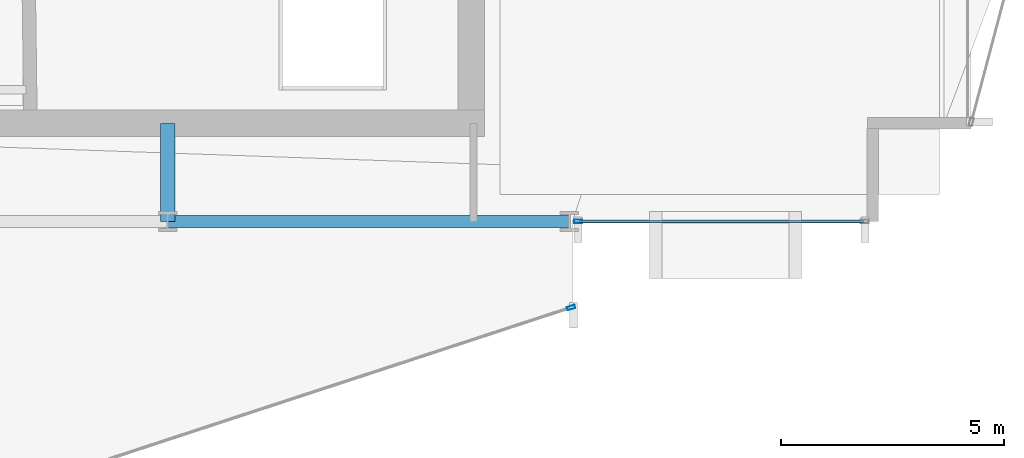
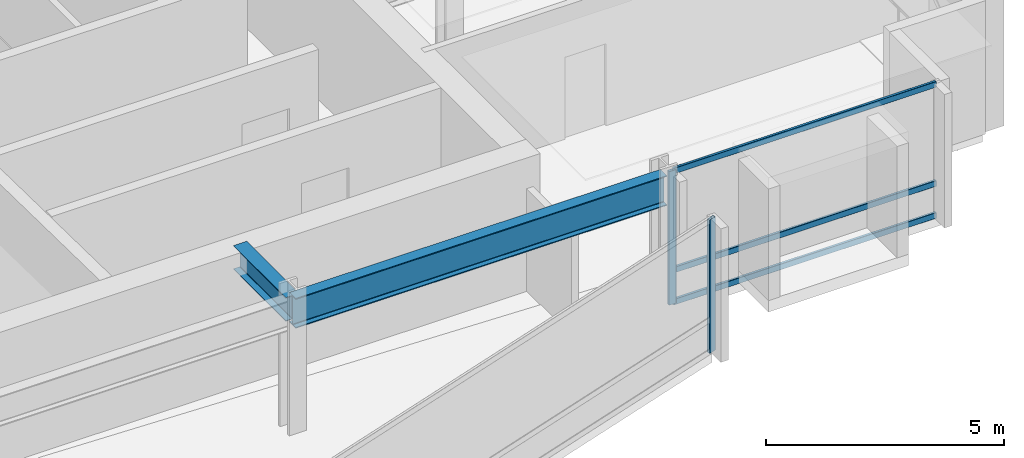
# One storey, part 10 of 28: 5 members, 2 beams, 2 elements without a shape of their own.
"""IFC4 building model written with IfcOpenShell, lengths in metres."""

from ifc_helpers import new_model, si_unit, direction, frame, origin, origin_2d, place, context, subcontext, project, spatial, hollow_rectangle, i_section, extrude, material, layer, layer_set, material_profile, profile_set, type_object, element, aggregate, save


model = new_model("IFC4")

# Units and contexts
model_context = context("Model", 3, precision=1e-05, world=origin(), true_north=direction((0.0, 1.0)))
body_context = subcontext(model_context, "Body", "Model", "MODEL_VIEW")
ifc_project = project(units=[si_unit("LENGTHUNIT", "METRE"), si_unit("AREAUNIT", "SQUARE_METRE"), si_unit("VOLUMEUNIT", "CUBIC_METRE"), si_unit("PLANEANGLEUNIT", "RADIAN"), si_unit("MASSUNIT", "GRAM", prefix="KILO")], contexts=[model_context])

# Site, building, storey
site_placement = place(None, origin())
site = spatial("IfcSite", under=ifc_project, at=site_placement, CompositionType="ELEMENT")
building_placement = place(site_placement, origin())
building = spatial("IfcBuilding", under=site, at=building_placement, Name="Solvaryn Broadcast Tower", CompositionType="ELEMENT")
storey_placement = place(building_placement, frame((0.0, 0.0, 110.0)))
storey = spatial("IfcBuildingStorey", under=building, at=storey_placement, Name="L26", CompositionType="ELEMENT", Elevation=110.0)

# Beams
ifc_material_1 = material(Name="Steel ASTM A992 Grade 50", Category="steel")
ifc_material_profile_1 = material_profile(ifc_material_1, i_section(OverallWidth=0.323974609375, OverallDepth=0.611083984375, WebThickness=0.0126953125, FlangeThickness=0.01904296875, FilletRadius=0.014892578125, at=origin_2d()))
ifc_profile_set_1 = profile_set([ifc_material_profile_1], Name="Steel ASTM A992 Grade 50")
beam_type_1 = type_object("IfcBeamType", Name="BM-B1-W24X104", PredefinedType="BEAM", material=ifc_profile_set_1)
beam_1_placement = place(storey_placement, frame((36.0, 9.0, 3.114501953125), z_axis=(0.0, 1.0, 0.0), x_axis=(-1.0, 0.0, 0.0)))
element("IfcBeam", 1, at=beam_1_placement, inside=storey, type_object=beam_type_1, Name="L26 Core Tie Beam CTE1", PredefinedType="BEAM", context=body_context, shape_type="SweptSolid", body=[
    extrude(i_section(OverallWidth=0.323974609375, OverallDepth=0.611083984375, WebThickness=0.0126953125, FlangeThickness=0.01904296875, FilletRadius=0.014892578125, at=origin_2d()), origin(), (0.0, 0.0, 1.0), 2.199951171875),
])
ifc_material_2 = material(Name="Steel ASTM A992 Grade 50", Category="steel")
ifc_material_profile_2 = material_profile(ifc_material_2, i_section(OverallWidth=0.26708984375, OverallDepth=0.76611328125, WebThickness=0.014892578125, FlangeThickness=0.023681640625, FilletRadius=0.01806640625, at=origin_2d()))
ifc_profile_set_2 = profile_set([ifc_material_profile_2], Name="Steel ASTM A992 Grade 50")
beam_type_2 = type_object("IfcBeamType", Name="BM-SP2-W30X124", PredefinedType="USERDEFINED", material=ifc_profile_set_2)
beam_2_placement = place(storey_placement, frame((36.0, 9.0, 3.037109375), z_axis=(1.0, 0.0, 0.0), x_axis=(0.0, 1.0, 0.0)))
element("IfcBeam", 2, at=beam_2_placement, inside=storey, type_object=beam_type_2, Name="L26 Spandrel Beam X (36-45 @ Y=9)", ObjectType="SPANDREL", PredefinedType="USERDEFINED", context=body_context, shape_type="SweptSolid", body=[
    extrude(i_section(OverallWidth=0.26708984375, OverallDepth=0.76611328125, WebThickness=0.014892578125, FlangeThickness=0.023681640625, FilletRadius=0.01806640625, at=origin_2d()), origin(), (0.0, 0.0, 1.0), 9.0),
])

# Curtain wall, member
ifc_material_3 = material(Name="Aluminium and Terracotta Unitised Curtain Wall", Category="masonry")
ifc_layer = layer(ifc_material_3, 0.199951171875)
ifc_layer_set = layer_set([ifc_layer], Name="CW-SYS2-LOWMID")
curtain_wall_type = type_object("IfcCurtainWallType", Name="CW-SYS2-LOWMID", PredefinedType="NOTDEFINED", material=ifc_layer_set)
curtain_wall_1_placement = place(storey_placement, origin())
curtain_wall_1 = element("IfcCurtainWall", 3, at=curtain_wall_1_placement, inside=storey, type_object=curtain_wall_type, Name="L26 Curtain Wall DR4", PredefinedType="NOTDEFINED")
ifc_material_4 = material(Name="Anodised Aluminium 6063-T6", Category="aluminium")
ifc_material_profile_3 = material_profile(ifc_material_4, hollow_rectangle(XDim=0.074951171875, YDim=0.179931640625, WallThickness=0.00390625, InnerFilletRadius=0.00390625, OuterFilletRadius=0.008056640625, at=origin_2d()))
ifc_profile_set_3 = profile_set([ifc_material_profile_3], Name="Anodised Aluminium 6063-T6")
member_type_1 = type_object("IfcMemberType", Name="CW-MUL-180", PredefinedType="MULLION", material=ifc_profile_set_3)
member_1_placement = place(storey_placement, frame((45.03857421875, 7.069580078125, 0.0), z_axis=(0.0, 0.0, 1.0), x_axis=(-0.311646057547, 0.950198260794, 0.0)))
member_1 = element("IfcMember", 4, at=member_1_placement, type_object=member_type_1, Name="CWS2 mullion 2", PredefinedType="MULLION", context=body_context, shape_type="SweptSolid", body=[
    extrude(hollow_rectangle(XDim=0.074951171875, YDim=0.179931640625, WallThickness=0.00390625, InnerFilletRadius=0.00390625, OuterFilletRadius=0.008056640625, at=origin_2d()), origin(), (0.0, 0.0, 1.0), 3.419921875),
])
aggregate(curtain_wall_1, [member_1])

# Curtain wall, members
curtain_wall_2_placement = place(storey_placement, origin())
curtain_wall_2 = element("IfcCurtainWall", 5, at=curtain_wall_2_placement, inside=storey, type_object=curtain_wall_type, Name="L26 Curtain Wall S2", PredefinedType="NOTDEFINED")
member_2_placement = place(storey_placement, frame((45.197021484375, 9.0, 0.0), z_axis=(0.0, 0.0, 1.0), x_axis=(0.0, 1.0, 0.0)))
member_2 = element("IfcMember", 6, at=member_2_placement, type_object=member_type_1, Name="CWS2 mullion 1", PredefinedType="MULLION", context=body_context, shape_type="SweptSolid", body=[
    extrude(hollow_rectangle(XDim=0.074951171875, YDim=0.179931640625, WallThickness=0.00390625, InnerFilletRadius=0.00390625, OuterFilletRadius=0.008056640625, at=origin_2d()), origin(), (0.0, 0.0, 1.0), 3.419921875),
])
ifc_material_5 = material(Name="Anodised Aluminium 6063-T6", Category="aluminium")
ifc_material_profile_4 = material_profile(ifc_material_5, hollow_rectangle(XDim=0.06494140625, YDim=0.14990234375, WallThickness=0.00390625, InnerFilletRadius=0.00390625, OuterFilletRadius=0.008056640625, at=origin_2d()))
ifc_profile_set_4 = profile_set([ifc_material_profile_4], Name="Anodised Aluminium 6063-T6")
member_type_2 = type_object("IfcMemberType", Name="CW-TRN-150", PredefinedType="USERDEFINED", material=ifc_profile_set_4)
member_3_placement = place(storey_placement, frame((45.22705078125, 9.0, 0.030029296875), z_axis=(1.0, 0.0, 0.0), x_axis=(0.0, 1.0, 0.0)))
member_3 = element("IfcMember", 7, at=member_3_placement, type_object=member_type_2, Name="CWS2 transom 1.1", ObjectType="TRANSOM", PredefinedType="USERDEFINED", context=body_context, shape_type="SweptSolid", body=[
    extrude(hollow_rectangle(XDim=0.06494140625, YDim=0.14990234375, WallThickness=0.00390625, InnerFilletRadius=0.00390625, OuterFilletRadius=0.008056640625, at=origin_2d()), origin(), (0.0, 0.0, 1.0), 6.363037109375),
])
member_4_placement = place(storey_placement, frame((45.22705078125, 9.0, 0.85009765625), z_axis=(1.0, 0.0, 0.0), x_axis=(0.0, 1.0, 0.0)))
member_4 = element("IfcMember", 8, at=member_4_placement, type_object=member_type_2, Name="CWS2 transom 1.2", ObjectType="TRANSOM", PredefinedType="USERDEFINED", context=body_context, shape_type="SweptSolid", body=[
    extrude(hollow_rectangle(XDim=0.06494140625, YDim=0.14990234375, WallThickness=0.00390625, InnerFilletRadius=0.00390625, OuterFilletRadius=0.008056640625, at=origin_2d()), origin(), (0.0, 0.0, 1.0), 6.363037109375),
])
member_5_placement = place(storey_placement, frame((45.22705078125, 9.0, 3.389892578125), z_axis=(1.0, 0.0, 0.0), x_axis=(0.0, 1.0, 0.0)))
member_5 = element("IfcMember", 9, at=member_5_placement, type_object=member_type_2, Name="CWS2 transom 1.3", ObjectType="TRANSOM", PredefinedType="USERDEFINED", context=body_context, shape_type="SweptSolid", body=[
    extrude(hollow_rectangle(XDim=0.06494140625, YDim=0.14990234375, WallThickness=0.00390625, InnerFilletRadius=0.00390625, OuterFilletRadius=0.008056640625, at=origin_2d()), origin(), (0.0, 0.0, 1.0), 6.363037109375),
])
aggregate(curtain_wall_2, [member_2, member_3, member_4, member_5])

save(model, "model.ifc")
